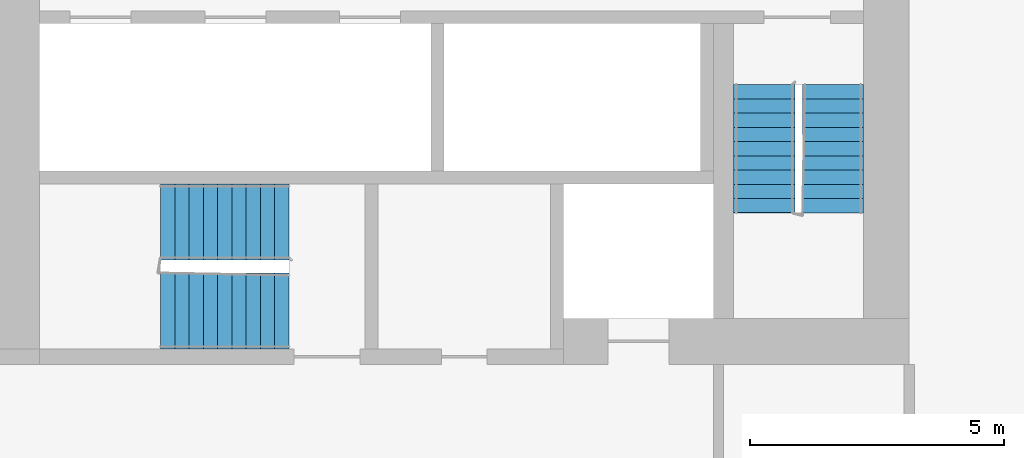
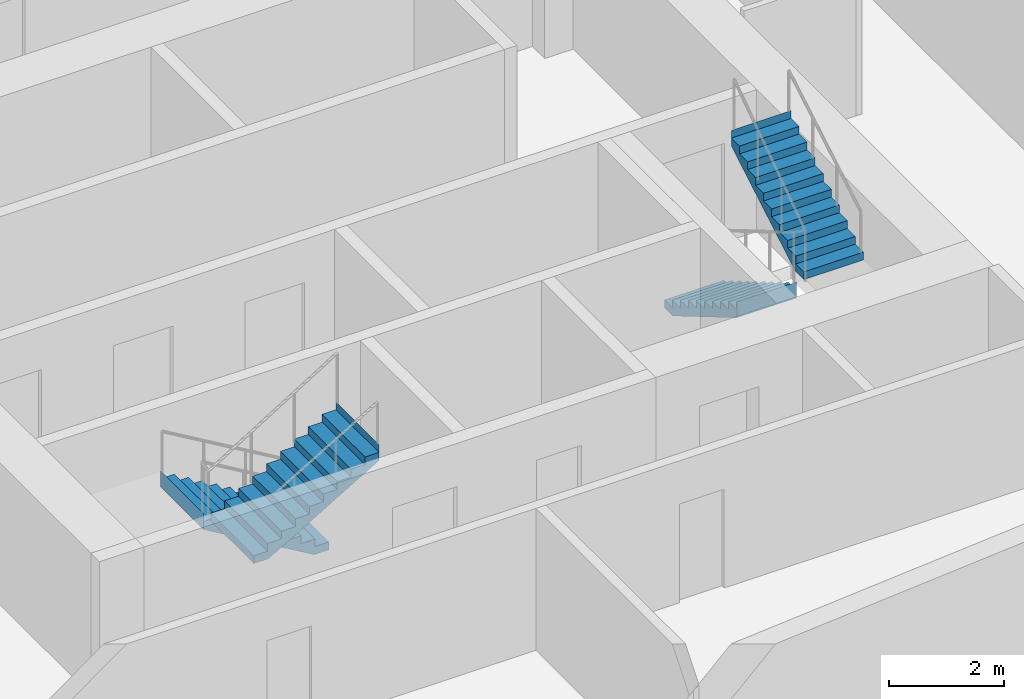
# One storey, part 9 of 12: 4 stair flights, 2 elements without a shape of their own.
"""IFC4 building model written with IfcOpenShell, lengths in metres."""

from ifc_helpers import new_model, si_unit, direction, frame, origin, place, context, subcontext, project, spatial, faceted_brep, material, type_object, element, aggregate, save


model = new_model("IFC4")

# Units and contexts
model_context = context("Model", 3, precision=1e-05, world=origin(), true_north=direction((0.0, 1.0)))
body_context = subcontext(model_context, "Body", "Model", "MODEL_VIEW")
ifc_project = project(units=[si_unit("LENGTHUNIT", "METRE"), si_unit("AREAUNIT", "SQUARE_METRE"), si_unit("VOLUMEUNIT", "CUBIC_METRE"), si_unit("PLANEANGLEUNIT", "RADIAN"), si_unit("MASSUNIT", "GRAM", prefix="KILO")], contexts=[model_context])

# Site, building, storey
site_placement = place(None, origin())
site = spatial("IfcSite", under=ifc_project, at=site_placement, CompositionType="ELEMENT")
building_placement = place(site_placement, origin())
building = spatial("IfcBuilding", under=site, at=building_placement, Name="Kajstack Hotel Tower", CompositionType="ELEMENT")
storey_placement = place(building_placement, frame((0.0, 0.0, 143.800048828125)))
storey = spatial("IfcBuildingStorey", under=building, at=storey_placement, Name="L33", CompositionType="ELEMENT", Elevation=143.800048828125)

# Stair, stair flights
ifc_material = material(Name="Concrete C40/50", Category="concrete")
stair_type_1 = type_object("IfcStairType", Name="Exit stair 1200", PredefinedType="HALF_TURN_STAIR", material=ifc_material)
stair_1_placement = place(storey_placement, origin())
stair_1 = element("IfcStair", 1, at=stair_1_placement, inside=storey, type_object=stair_type_1, Name="L33 stair W2", PredefinedType="HALF_TURN_STAIR")
stair_flight_type_1 = type_object("IfcStairFlightType", Name="Exit stair flight 1200", PredefinedType="STRAIGHT", material=ifc_material)
stair_flight_1_placement = place(storey_placement, frame((-16.35009765625, -10.0, 0.0), z_axis=(0.0, 0.0, 1.0), x_axis=(0.0, -1.0, 0.0)))
stair_flight_1 = element("IfcStairFlight", 2, at=stair_flight_1_placement, type_object=stair_flight_type_1, Name="W2 flight 1", NumberOfRisers=10, NumberOfTreads=9, PredefinedType="STRAIGHT", RiserHeight=0.165, TreadLength=0.28, context=body_context, shape_type="Brep", body=[
    faceted_brep([(0.295654296875, -0.60009765625, 0.0), (2.5205078125, -0.60009765625, 1.31103515625), (2.5205078125, -0.60009765625, 1.64990234375), (2.52001953125, -0.60009765625, 1.64990234375), (2.52001953125, -0.60009765625, 1.485107421875), (2.239990234375, -0.60009765625, 1.485107421875), (2.239990234375, -0.60009765625, 1.320068359375), (1.9599609375, -0.60009765625, 1.320068359375), (1.9599609375, -0.60009765625, 1.155029296875), (1.679931640625, -0.60009765625, 1.155029296875), (1.679931640625, -0.60009765625, 0.989990234375), (1.39990234375, -0.60009765625, 0.989990234375), (1.39990234375, -0.60009765625, 0.824951171875), (1.1201171875, -0.60009765625, 0.824951171875), (1.1201171875, -0.60009765625, 0.659912109375), (0.840087890625, -0.60009765625, 0.659912109375), (0.840087890625, -0.60009765625, 0.4951171875), (0.56005859375, -0.60009765625, 0.4951171875), (0.56005859375, -0.60009765625, 0.330078125), (0.280029296875, -0.60009765625, 0.330078125), (0.280029296875, -0.60009765625, 0.1650390625), (-0.00048828125, -0.60009765625, 0.1650390625), (-0.00048828125, -0.60009765625, 0.0), (-0.00048828125, 0.60009765625, 0.0), (-0.00048828125, 0.60009765625, 0.1650390625), (0.280029296875, 0.60009765625, 0.1650390625), (0.280029296875, 0.60009765625, 0.330078125), (0.56005859375, 0.60009765625, 0.330078125), (0.56005859375, 0.60009765625, 0.4951171875), (0.840087890625, 0.60009765625, 0.4951171875), (0.840087890625, 0.60009765625, 0.659912109375), (1.1201171875, 0.60009765625, 0.659912109375), (1.1201171875, 0.60009765625, 0.824951171875), (1.39990234375, 0.60009765625, 0.824951171875), (1.39990234375, 0.60009765625, 0.989990234375), (1.679931640625, 0.60009765625, 0.989990234375), (1.679931640625, 0.60009765625, 1.155029296875), (1.9599609375, 0.60009765625, 1.155029296875), (1.9599609375, 0.60009765625, 1.320068359375), (2.239990234375, 0.60009765625, 1.320068359375), (2.239990234375, 0.60009765625, 1.485107421875), (2.52001953125, 0.60009765625, 1.485107421875), (2.52001953125, 0.60009765625, 1.64990234375), (2.5205078125, 0.60009765625, 1.64990234375), (2.5205078125, 0.60009765625, 1.31103515625), (0.295654296875, 0.60009765625, 0.0), (-0.00048828125, -0.300048828125, 0.1650390625), (-0.00048828125, 0.0, 0.1650390625), (-0.00048828125, 0.300048828125, 0.1650390625), (-0.00048828125, 0.300048828125, 0.0), (-0.00048828125, 0.0, 0.0), (-0.00048828125, -0.300048828125, 0.0), (0.280029296875, -0.300048828125, 0.1650390625), (0.280029296875, 0.0, 0.1650390625), (0.280029296875, 0.300048828125, 0.1650390625), (0.280029296875, -0.300048828125, 0.330078125), (0.280029296875, 0.0, 0.330078125), (0.280029296875, 0.300048828125, 0.330078125), (0.56005859375, -0.300048828125, 0.330078125), (0.56005859375, 0.0, 0.330078125), (0.56005859375, 0.300048828125, 0.330078125), (0.56005859375, -0.300048828125, 0.4951171875), (0.56005859375, 0.0, 0.4951171875), (0.56005859375, 0.300048828125, 0.4951171875), (0.840087890625, -0.300048828125, 0.4951171875), (0.840087890625, 0.0, 0.4951171875), (0.840087890625, 0.300048828125, 0.4951171875), (0.840087890625, -0.300048828125, 0.659912109375), (0.840087890625, 0.0, 0.659912109375), (0.840087890625, 0.300048828125, 0.659912109375), (1.1201171875, -0.300048828125, 0.659912109375), (1.1201171875, 0.0, 0.659912109375), (1.1201171875, 0.300048828125, 0.659912109375), (1.1201171875, -0.300048828125, 0.824951171875), (1.1201171875, 0.0, 0.824951171875), (1.1201171875, 0.300048828125, 0.824951171875), (1.39990234375, -0.300048828125, 0.824951171875), (1.39990234375, 0.0, 0.824951171875), (1.39990234375, 0.300048828125, 0.824951171875), (1.39990234375, -0.300048828125, 0.989990234375), (1.39990234375, 0.0, 0.989990234375), (1.39990234375, 0.300048828125, 0.989990234375), (1.679931640625, -0.300048828125, 0.989990234375), (1.679931640625, 0.0, 0.989990234375), (1.679931640625, 0.300048828125, 0.989990234375), (1.679931640625, -0.300048828125, 1.155029296875), (1.679931640625, 0.0, 1.155029296875), (1.679931640625, 0.300048828125, 1.155029296875), (1.9599609375, -0.300048828125, 1.155029296875), (1.9599609375, 0.0, 1.155029296875), (1.9599609375, 0.300048828125, 1.155029296875), (1.9599609375, -0.300048828125, 1.320068359375), (1.9599609375, 0.0, 1.320068359375), (1.9599609375, 0.300048828125, 1.320068359375), (2.239990234375, -0.300048828125, 1.320068359375), (2.239990234375, 0.0, 1.320068359375), (2.239990234375, 0.300048828125, 1.320068359375), (2.239990234375, -0.300048828125, 1.485107421875), (2.239990234375, 0.0, 1.485107421875), (2.239990234375, 0.300048828125, 1.485107421875), (2.52001953125, -0.300048828125, 1.485107421875), (2.52001953125, 0.0, 1.485107421875), (2.52001953125, 0.300048828125, 1.485107421875), (2.52001953125, -0.300048828125, 1.64990234375), (2.52001953125, 0.0, 1.64990234375), (2.52001953125, 0.300048828125, 1.64990234375), (2.5205078125, -0.300048828125, 1.64990234375), (2.5205078125, 0.0, 1.64990234375), (2.5205078125, 0.300048828125, 1.64990234375), (2.5205078125, -0.300048828125, 1.31103515625), (2.5205078125, 0.0, 1.31103515625), (2.5205078125, 0.300048828125, 1.31103515625), (0.295654296875, -0.300048828125, 0.0), (0.295654296875, 0.0, 0.0), (0.295654296875, 0.300048828125, 0.0)], [[[0, 1, 2, 3, 4, 5, 6, 7, 8, 9, 10, 11, 12, 13, 14, 15, 16, 17, 18, 19, 20, 21, 22]], [[23, 24, 25, 26, 27, 28, 29, 30, 31, 32, 33, 34, 35, 36, 37, 38, 39, 40, 41, 42, 43, 44, 45]], [[21, 46, 47, 48, 24, 23, 49, 50, 51, 22]], [[20, 52, 53, 54, 25, 24, 48, 47, 46, 21]], [[19, 55, 56, 57, 26, 25, 54, 53, 52, 20]], [[18, 58, 59, 60, 27, 26, 57, 56, 55, 19]], [[17, 61, 62, 63, 28, 27, 60, 59, 58, 18]], [[16, 64, 65, 66, 29, 28, 63, 62, 61, 17]], [[15, 67, 68, 69, 30, 29, 66, 65, 64, 16]], [[14, 70, 71, 72, 31, 30, 69, 68, 67, 15]], [[13, 73, 74, 75, 32, 31, 72, 71, 70, 14]], [[12, 76, 77, 78, 33, 32, 75, 74, 73, 13]], [[11, 79, 80, 81, 34, 33, 78, 77, 76, 12]], [[10, 82, 83, 84, 35, 34, 81, 80, 79, 11]], [[9, 85, 86, 87, 36, 35, 84, 83, 82, 10]], [[8, 88, 89, 90, 37, 36, 87, 86, 85, 9]], [[7, 91, 92, 93, 38, 37, 90, 89, 88, 8]], [[6, 94, 95, 96, 39, 38, 93, 92, 91, 7]], [[5, 97, 98, 99, 40, 39, 96, 95, 94, 6]], [[4, 100, 101, 102, 41, 40, 99, 98, 97, 5]], [[3, 103, 104, 105, 42, 41, 102, 101, 100, 4]], [[2, 106, 107, 108, 43, 42, 105, 104, 103, 3]], [[1, 109, 110, 111, 44, 43, 108, 107, 106, 2]], [[0, 112, 113, 114, 45, 44, 111, 110, 109, 1]], [[22, 51, 50, 49, 23, 45, 114, 113, 112, 0]]]),
])
stair_flight_2_placement = place(storey_placement, frame((-15.0, -12.52001953125, 1.64990234375), z_axis=(0.0, 0.0, 1.0), x_axis=(0.0, 1.0, 0.0)))
stair_flight_2 = element("IfcStairFlight", 3, at=stair_flight_2_placement, type_object=stair_flight_type_1, Name="W2 flight 2", NumberOfRisers=10, NumberOfTreads=9, PredefinedType="STRAIGHT", RiserHeight=0.165, TreadLength=0.28, context=body_context, shape_type="Brep", body=[
    faceted_brep([(0.295654296875, -0.60009765625, 0.0), (2.5205078125, -0.60009765625, 1.31103515625), (2.5205078125, -0.60009765625, 1.64990234375), (2.52001953125, -0.60009765625, 1.64990234375), (2.52001953125, -0.60009765625, 1.485107421875), (2.239990234375, -0.60009765625, 1.485107421875), (2.239990234375, -0.60009765625, 1.320068359375), (1.9599609375, -0.60009765625, 1.320068359375), (1.9599609375, -0.60009765625, 1.155029296875), (1.679931640625, -0.60009765625, 1.155029296875), (1.679931640625, -0.60009765625, 0.989990234375), (1.39990234375, -0.60009765625, 0.989990234375), (1.39990234375, -0.60009765625, 0.824951171875), (1.1201171875, -0.60009765625, 0.824951171875), (1.1201171875, -0.60009765625, 0.659912109375), (0.840087890625, -0.60009765625, 0.659912109375), (0.840087890625, -0.60009765625, 0.4951171875), (0.56005859375, -0.60009765625, 0.4951171875), (0.56005859375, -0.60009765625, 0.330078125), (0.280029296875, -0.60009765625, 0.330078125), (0.280029296875, -0.60009765625, 0.1650390625), (-0.00048828125, -0.60009765625, 0.1650390625), (-0.00048828125, -0.60009765625, 0.0), (-0.00048828125, 0.60009765625, 0.0), (-0.00048828125, 0.60009765625, 0.1650390625), (0.280029296875, 0.60009765625, 0.1650390625), (0.280029296875, 0.60009765625, 0.330078125), (0.56005859375, 0.60009765625, 0.330078125), (0.56005859375, 0.60009765625, 0.4951171875), (0.840087890625, 0.60009765625, 0.4951171875), (0.840087890625, 0.60009765625, 0.659912109375), (1.1201171875, 0.60009765625, 0.659912109375), (1.1201171875, 0.60009765625, 0.824951171875), (1.39990234375, 0.60009765625, 0.824951171875), (1.39990234375, 0.60009765625, 0.989990234375), (1.679931640625, 0.60009765625, 0.989990234375), (1.679931640625, 0.60009765625, 1.155029296875), (1.9599609375, 0.60009765625, 1.155029296875), (1.9599609375, 0.60009765625, 1.320068359375), (2.239990234375, 0.60009765625, 1.320068359375), (2.239990234375, 0.60009765625, 1.485107421875), (2.52001953125, 0.60009765625, 1.485107421875), (2.52001953125, 0.60009765625, 1.64990234375), (2.5205078125, 0.60009765625, 1.64990234375), (2.5205078125, 0.60009765625, 1.31103515625), (0.295654296875, 0.60009765625, 0.0), (-0.00048828125, -0.300048828125, 0.1650390625), (-0.00048828125, 0.0, 0.1650390625), (-0.00048828125, 0.300048828125, 0.1650390625), (-0.00048828125, 0.300048828125, 0.0), (-0.00048828125, 0.0, 0.0), (-0.00048828125, -0.300048828125, 0.0), (0.280029296875, -0.300048828125, 0.1650390625), (0.280029296875, 0.0, 0.1650390625), (0.280029296875, 0.300048828125, 0.1650390625), (0.280029296875, -0.300048828125, 0.330078125), (0.280029296875, 0.0, 0.330078125), (0.280029296875, 0.300048828125, 0.330078125), (0.56005859375, -0.300048828125, 0.330078125), (0.56005859375, 0.0, 0.330078125), (0.56005859375, 0.300048828125, 0.330078125), (0.56005859375, -0.300048828125, 0.4951171875), (0.56005859375, 0.0, 0.4951171875), (0.56005859375, 0.300048828125, 0.4951171875), (0.840087890625, -0.300048828125, 0.4951171875), (0.840087890625, 0.0, 0.4951171875), (0.840087890625, 0.300048828125, 0.4951171875), (0.840087890625, -0.300048828125, 0.659912109375), (0.840087890625, 0.0, 0.659912109375), (0.840087890625, 0.300048828125, 0.659912109375), (1.1201171875, -0.300048828125, 0.659912109375), (1.1201171875, 0.0, 0.659912109375), (1.1201171875, 0.300048828125, 0.659912109375), (1.1201171875, -0.300048828125, 0.824951171875), (1.1201171875, 0.0, 0.824951171875), (1.1201171875, 0.300048828125, 0.824951171875), (1.39990234375, -0.300048828125, 0.824951171875), (1.39990234375, 0.0, 0.824951171875), (1.39990234375, 0.300048828125, 0.824951171875), (1.39990234375, -0.300048828125, 0.989990234375), (1.39990234375, 0.0, 0.989990234375), (1.39990234375, 0.300048828125, 0.989990234375), (1.679931640625, -0.300048828125, 0.989990234375), (1.679931640625, 0.0, 0.989990234375), (1.679931640625, 0.300048828125, 0.989990234375), (1.679931640625, -0.300048828125, 1.155029296875), (1.679931640625, 0.0, 1.155029296875), (1.679931640625, 0.300048828125, 1.155029296875), (1.9599609375, -0.300048828125, 1.155029296875), (1.9599609375, 0.0, 1.155029296875), (1.9599609375, 0.300048828125, 1.155029296875), (1.9599609375, -0.300048828125, 1.320068359375), (1.9599609375, 0.0, 1.320068359375), (1.9599609375, 0.300048828125, 1.320068359375), (2.239990234375, -0.300048828125, 1.320068359375), (2.239990234375, 0.0, 1.320068359375), (2.239990234375, 0.300048828125, 1.320068359375), (2.239990234375, -0.300048828125, 1.485107421875), (2.239990234375, 0.0, 1.485107421875), (2.239990234375, 0.300048828125, 1.485107421875), (2.52001953125, -0.300048828125, 1.485107421875), (2.52001953125, 0.0, 1.485107421875), (2.52001953125, 0.300048828125, 1.485107421875), (2.52001953125, -0.300048828125, 1.64990234375), (2.52001953125, 0.0, 1.64990234375), (2.52001953125, 0.300048828125, 1.64990234375), (2.5205078125, -0.300048828125, 1.64990234375), (2.5205078125, 0.0, 1.64990234375), (2.5205078125, 0.300048828125, 1.64990234375), (2.5205078125, -0.300048828125, 1.31103515625), (2.5205078125, 0.0, 1.31103515625), (2.5205078125, 0.300048828125, 1.31103515625), (0.295654296875, -0.300048828125, 0.0), (0.295654296875, 0.0, 0.0), (0.295654296875, 0.300048828125, 0.0)], [[[0, 1, 2, 3, 4, 5, 6, 7, 8, 9, 10, 11, 12, 13, 14, 15, 16, 17, 18, 19, 20, 21, 22]], [[23, 24, 25, 26, 27, 28, 29, 30, 31, 32, 33, 34, 35, 36, 37, 38, 39, 40, 41, 42, 43, 44, 45]], [[21, 46, 47, 48, 24, 23, 49, 50, 51, 22]], [[20, 52, 53, 54, 25, 24, 48, 47, 46, 21]], [[19, 55, 56, 57, 26, 25, 54, 53, 52, 20]], [[18, 58, 59, 60, 27, 26, 57, 56, 55, 19]], [[17, 61, 62, 63, 28, 27, 60, 59, 58, 18]], [[16, 64, 65, 66, 29, 28, 63, 62, 61, 17]], [[15, 67, 68, 69, 30, 29, 66, 65, 64, 16]], [[14, 70, 71, 72, 31, 30, 69, 68, 67, 15]], [[13, 73, 74, 75, 32, 31, 72, 71, 70, 14]], [[12, 76, 77, 78, 33, 32, 75, 74, 73, 13]], [[11, 79, 80, 81, 34, 33, 78, 77, 76, 12]], [[10, 82, 83, 84, 35, 34, 81, 80, 79, 11]], [[9, 85, 86, 87, 36, 35, 84, 83, 82, 10]], [[8, 88, 89, 90, 37, 36, 87, 86, 85, 9]], [[7, 91, 92, 93, 38, 37, 90, 89, 88, 8]], [[6, 94, 95, 96, 39, 38, 93, 92, 91, 7]], [[5, 97, 98, 99, 40, 39, 96, 95, 94, 6]], [[4, 100, 101, 102, 41, 40, 99, 98, 97, 5]], [[3, 103, 104, 105, 42, 41, 102, 101, 100, 4]], [[2, 106, 107, 108, 43, 42, 105, 104, 103, 3]], [[1, 109, 110, 111, 44, 43, 108, 107, 106, 2]], [[0, 112, 113, 114, 45, 44, 111, 110, 109, 1]], [[22, 51, 50, 49, 23, 45, 114, 113, 112, 0]]]),
])
aggregate(stair_1, [stair_flight_1, stair_flight_2])

stair_type_2 = type_object("IfcStairType", Name="Exit stair 1500", PredefinedType="HALF_TURN_STAIR", material=ifc_material)
stair_2_placement = place(storey_placement, origin())
stair_2 = element("IfcStair", 4, at=stair_2_placement, inside=storey, type_object=stair_type_2, Name="L33 stair W3", PredefinedType="HALF_TURN_STAIR")
stair_flight_type_2 = type_object("IfcStairFlightType", Name="Exit stair flight 1500", PredefinedType="STRAIGHT", material=ifc_material)
stair_flight_3_placement = place(storey_placement, frame((-25.699951171875, -12.699951171875, 0.0), z_axis=(0.0, 0.0, 1.0), x_axis=(-1.0, 0.0, 0.0)))
stair_flight_3 = element("IfcStairFlight", 5, at=stair_flight_3_placement, type_object=stair_flight_type_2, Name="W3 flight 1", NumberOfRisers=10, NumberOfTreads=9, PredefinedType="STRAIGHT", RiserHeight=0.165, TreadLength=0.28, context=body_context, shape_type="Brep", body=[
    faceted_brep([(0.295654296875, -0.75, 0.0), (2.5205078125, -0.75, 1.31103515625), (2.5205078125, -0.75, 1.64990234375), (2.52001953125, -0.75, 1.64990234375), (2.52001953125, -0.75, 1.485107421875), (2.239990234375, -0.75, 1.485107421875), (2.239990234375, -0.75, 1.320068359375), (1.9599609375, -0.75, 1.320068359375), (1.9599609375, -0.75, 1.155029296875), (1.679931640625, -0.75, 1.155029296875), (1.679931640625, -0.75, 0.989990234375), (1.39990234375, -0.75, 0.989990234375), (1.39990234375, -0.75, 0.824951171875), (1.1201171875, -0.75, 0.824951171875), (1.1201171875, -0.75, 0.659912109375), (0.840087890625, -0.75, 0.659912109375), (0.840087890625, -0.75, 0.4951171875), (0.56005859375, -0.75, 0.4951171875), (0.56005859375, -0.75, 0.330078125), (0.280029296875, -0.75, 0.330078125), (0.280029296875, -0.75, 0.1650390625), (-0.00048828125, -0.75, 0.1650390625), (-0.00048828125, -0.75, 0.0), (-0.00048828125, 0.75, 0.0), (-0.00048828125, 0.75, 0.1650390625), (0.280029296875, 0.75, 0.1650390625), (0.280029296875, 0.75, 0.330078125), (0.56005859375, 0.75, 0.330078125), (0.56005859375, 0.75, 0.4951171875), (0.840087890625, 0.75, 0.4951171875), (0.840087890625, 0.75, 0.659912109375), (1.1201171875, 0.75, 0.659912109375), (1.1201171875, 0.75, 0.824951171875), (1.39990234375, 0.75, 0.824951171875), (1.39990234375, 0.75, 0.989990234375), (1.679931640625, 0.75, 0.989990234375), (1.679931640625, 0.75, 1.155029296875), (1.9599609375, 0.75, 1.155029296875), (1.9599609375, 0.75, 1.320068359375), (2.239990234375, 0.75, 1.320068359375), (2.239990234375, 0.75, 1.485107421875), (2.52001953125, 0.75, 1.485107421875), (2.52001953125, 0.75, 1.64990234375), (2.5205078125, 0.75, 1.64990234375), (2.5205078125, 0.75, 1.31103515625), (0.295654296875, 0.75, 0.0), (-0.00048828125, -0.375, 0.1650390625), (-0.00048828125, 0.0, 0.1650390625), (-0.00048828125, 0.375, 0.1650390625), (-0.00048828125, 0.375, 0.0), (-0.00048828125, 0.0, 0.0), (-0.00048828125, -0.375, 0.0), (0.280029296875, -0.375, 0.1650390625), (0.280029296875, 0.0, 0.1650390625), (0.280029296875, 0.375, 0.1650390625), (0.280029296875, -0.375, 0.330078125), (0.280029296875, 0.0, 0.330078125), (0.280029296875, 0.375, 0.330078125), (0.56005859375, -0.375, 0.330078125), (0.56005859375, 0.0, 0.330078125), (0.56005859375, 0.375, 0.330078125), (0.56005859375, -0.375, 0.4951171875), (0.56005859375, 0.0, 0.4951171875), (0.56005859375, 0.375, 0.4951171875), (0.840087890625, -0.375, 0.4951171875), (0.840087890625, 0.0, 0.4951171875), (0.840087890625, 0.375, 0.4951171875), (0.840087890625, -0.375, 0.659912109375), (0.840087890625, 0.0, 0.659912109375), (0.840087890625, 0.375, 0.659912109375), (1.1201171875, -0.375, 0.659912109375), (1.1201171875, 0.0, 0.659912109375), (1.1201171875, 0.375, 0.659912109375), (1.1201171875, -0.375, 0.824951171875), (1.1201171875, 0.0, 0.824951171875), (1.1201171875, 0.375, 0.824951171875), (1.39990234375, -0.375, 0.824951171875), (1.39990234375, 0.0, 0.824951171875), (1.39990234375, 0.375, 0.824951171875), (1.39990234375, -0.375, 0.989990234375), (1.39990234375, 0.0, 0.989990234375), (1.39990234375, 0.375, 0.989990234375), (1.679931640625, -0.375, 0.989990234375), (1.679931640625, 0.0, 0.989990234375), (1.679931640625, 0.375, 0.989990234375), (1.679931640625, -0.375, 1.155029296875), (1.679931640625, 0.0, 1.155029296875), (1.679931640625, 0.375, 1.155029296875), (1.9599609375, -0.375, 1.155029296875), (1.9599609375, 0.0, 1.155029296875), (1.9599609375, 0.375, 1.155029296875), (1.9599609375, -0.375, 1.320068359375), (1.9599609375, 0.0, 1.320068359375), (1.9599609375, 0.375, 1.320068359375), (2.239990234375, -0.375, 1.320068359375), (2.239990234375, 0.0, 1.320068359375), (2.239990234375, 0.375, 1.320068359375), (2.239990234375, -0.375, 1.485107421875), (2.239990234375, 0.0, 1.485107421875), (2.239990234375, 0.375, 1.485107421875), (2.52001953125, -0.375, 1.485107421875), (2.52001953125, 0.0, 1.485107421875), (2.52001953125, 0.375, 1.485107421875), (2.52001953125, -0.375, 1.64990234375), (2.52001953125, 0.0, 1.64990234375), (2.52001953125, 0.375, 1.64990234375), (2.5205078125, -0.375, 1.64990234375), (2.5205078125, 0.0, 1.64990234375), (2.5205078125, 0.375, 1.64990234375), (2.5205078125, -0.375, 1.31103515625), (2.5205078125, 0.0, 1.31103515625), (2.5205078125, 0.375, 1.31103515625), (0.295654296875, -0.375, 0.0), (0.295654296875, 0.0, 0.0), (0.295654296875, 0.375, 0.0)], [[[0, 1, 2, 3, 4, 5, 6, 7, 8, 9, 10, 11, 12, 13, 14, 15, 16, 17, 18, 19, 20, 21, 22]], [[23, 24, 25, 26, 27, 28, 29, 30, 31, 32, 33, 34, 35, 36, 37, 38, 39, 40, 41, 42, 43, 44, 45]], [[21, 46, 47, 48, 24, 23, 49, 50, 51, 22]], [[20, 52, 53, 54, 25, 24, 48, 47, 46, 21]], [[19, 55, 56, 57, 26, 25, 54, 53, 52, 20]], [[18, 58, 59, 60, 27, 26, 57, 56, 55, 19]], [[17, 61, 62, 63, 28, 27, 60, 59, 58, 18]], [[16, 64, 65, 66, 29, 28, 63, 62, 61, 17]], [[15, 67, 68, 69, 30, 29, 66, 65, 64, 16]], [[14, 70, 71, 72, 31, 30, 69, 68, 67, 15]], [[13, 73, 74, 75, 32, 31, 72, 71, 70, 14]], [[12, 76, 77, 78, 33, 32, 75, 74, 73, 13]], [[11, 79, 80, 81, 34, 33, 78, 77, 76, 12]], [[10, 82, 83, 84, 35, 34, 81, 80, 79, 11]], [[9, 85, 86, 87, 36, 35, 84, 83, 82, 10]], [[8, 88, 89, 90, 37, 36, 87, 86, 85, 9]], [[7, 91, 92, 93, 38, 37, 90, 89, 88, 8]], [[6, 94, 95, 96, 39, 38, 93, 92, 91, 7]], [[5, 97, 98, 99, 40, 39, 96, 95, 94, 6]], [[4, 100, 101, 102, 41, 40, 99, 98, 97, 5]], [[3, 103, 104, 105, 42, 41, 102, 101, 100, 4]], [[2, 106, 107, 108, 43, 42, 105, 104, 103, 3]], [[1, 109, 110, 111, 44, 43, 108, 107, 106, 2]], [[0, 112, 113, 114, 45, 44, 111, 110, 109, 1]], [[22, 51, 50, 49, 23, 45, 114, 113, 112, 0]]]),
])
stair_flight_4_placement = place(storey_placement, frame((-28.219970703125, -14.449951171875, 1.64990234375), z_axis=(0.0, 0.0, 1.0), x_axis=(1.0, 0.0, 0.0)))
stair_flight_4 = element("IfcStairFlight", 6, at=stair_flight_4_placement, type_object=stair_flight_type_2, Name="W3 flight 2", NumberOfRisers=10, NumberOfTreads=9, PredefinedType="STRAIGHT", RiserHeight=0.165, TreadLength=0.28, context=body_context, shape_type="Brep", body=[
    faceted_brep([(0.295654296875, -0.75, 0.0), (2.5205078125, -0.75, 1.31103515625), (2.5205078125, -0.75, 1.64990234375), (2.52001953125, -0.75, 1.64990234375), (2.52001953125, -0.75, 1.485107421875), (2.239990234375, -0.75, 1.485107421875), (2.239990234375, -0.75, 1.320068359375), (1.9599609375, -0.75, 1.320068359375), (1.9599609375, -0.75, 1.155029296875), (1.679931640625, -0.75, 1.155029296875), (1.679931640625, -0.75, 0.989990234375), (1.39990234375, -0.75, 0.989990234375), (1.39990234375, -0.75, 0.824951171875), (1.1201171875, -0.75, 0.824951171875), (1.1201171875, -0.75, 0.659912109375), (0.840087890625, -0.75, 0.659912109375), (0.840087890625, -0.75, 0.4951171875), (0.56005859375, -0.75, 0.4951171875), (0.56005859375, -0.75, 0.330078125), (0.280029296875, -0.75, 0.330078125), (0.280029296875, -0.75, 0.1650390625), (-0.00048828125, -0.75, 0.1650390625), (-0.00048828125, -0.75, 0.0), (-0.00048828125, 0.75, 0.0), (-0.00048828125, 0.75, 0.1650390625), (0.280029296875, 0.75, 0.1650390625), (0.280029296875, 0.75, 0.330078125), (0.56005859375, 0.75, 0.330078125), (0.56005859375, 0.75, 0.4951171875), (0.840087890625, 0.75, 0.4951171875), (0.840087890625, 0.75, 0.659912109375), (1.1201171875, 0.75, 0.659912109375), (1.1201171875, 0.75, 0.824951171875), (1.39990234375, 0.75, 0.824951171875), (1.39990234375, 0.75, 0.989990234375), (1.679931640625, 0.75, 0.989990234375), (1.679931640625, 0.75, 1.155029296875), (1.9599609375, 0.75, 1.155029296875), (1.9599609375, 0.75, 1.320068359375), (2.239990234375, 0.75, 1.320068359375), (2.239990234375, 0.75, 1.485107421875), (2.52001953125, 0.75, 1.485107421875), (2.52001953125, 0.75, 1.64990234375), (2.5205078125, 0.75, 1.64990234375), (2.5205078125, 0.75, 1.31103515625), (0.295654296875, 0.75, 0.0), (-0.00048828125, -0.375, 0.1650390625), (-0.00048828125, 0.0, 0.1650390625), (-0.00048828125, 0.375, 0.1650390625), (-0.00048828125, 0.375, 0.0), (-0.00048828125, 0.0, 0.0), (-0.00048828125, -0.375, 0.0), (0.280029296875, -0.375, 0.1650390625), (0.280029296875, 0.0, 0.1650390625), (0.280029296875, 0.375, 0.1650390625), (0.280029296875, -0.375, 0.330078125), (0.280029296875, 0.0, 0.330078125), (0.280029296875, 0.375, 0.330078125), (0.56005859375, -0.375, 0.330078125), (0.56005859375, 0.0, 0.330078125), (0.56005859375, 0.375, 0.330078125), (0.56005859375, -0.375, 0.4951171875), (0.56005859375, 0.0, 0.4951171875), (0.56005859375, 0.375, 0.4951171875), (0.840087890625, -0.375, 0.4951171875), (0.840087890625, 0.0, 0.4951171875), (0.840087890625, 0.375, 0.4951171875), (0.840087890625, -0.375, 0.659912109375), (0.840087890625, 0.0, 0.659912109375), (0.840087890625, 0.375, 0.659912109375), (1.1201171875, -0.375, 0.659912109375), (1.1201171875, 0.0, 0.659912109375), (1.1201171875, 0.375, 0.659912109375), (1.1201171875, -0.375, 0.824951171875), (1.1201171875, 0.0, 0.824951171875), (1.1201171875, 0.375, 0.824951171875), (1.39990234375, -0.375, 0.824951171875), (1.39990234375, 0.0, 0.824951171875), (1.39990234375, 0.375, 0.824951171875), (1.39990234375, -0.375, 0.989990234375), (1.39990234375, 0.0, 0.989990234375), (1.39990234375, 0.375, 0.989990234375), (1.679931640625, -0.375, 0.989990234375), (1.679931640625, 0.0, 0.989990234375), (1.679931640625, 0.375, 0.989990234375), (1.679931640625, -0.375, 1.155029296875), (1.679931640625, 0.0, 1.155029296875), (1.679931640625, 0.375, 1.155029296875), (1.9599609375, -0.375, 1.155029296875), (1.9599609375, 0.0, 1.155029296875), (1.9599609375, 0.375, 1.155029296875), (1.9599609375, -0.375, 1.320068359375), (1.9599609375, 0.0, 1.320068359375), (1.9599609375, 0.375, 1.320068359375), (2.239990234375, -0.375, 1.320068359375), (2.239990234375, 0.0, 1.320068359375), (2.239990234375, 0.375, 1.320068359375), (2.239990234375, -0.375, 1.485107421875), (2.239990234375, 0.0, 1.485107421875), (2.239990234375, 0.375, 1.485107421875), (2.52001953125, -0.375, 1.485107421875), (2.52001953125, 0.0, 1.485107421875), (2.52001953125, 0.375, 1.485107421875), (2.52001953125, -0.375, 1.64990234375), (2.52001953125, 0.0, 1.64990234375), (2.52001953125, 0.375, 1.64990234375), (2.5205078125, -0.375, 1.64990234375), (2.5205078125, 0.0, 1.64990234375), (2.5205078125, 0.375, 1.64990234375), (2.5205078125, -0.375, 1.31103515625), (2.5205078125, 0.0, 1.31103515625), (2.5205078125, 0.375, 1.31103515625), (0.295654296875, -0.375, 0.0), (0.295654296875, 0.0, 0.0), (0.295654296875, 0.375, 0.0)], [[[0, 1, 2, 3, 4, 5, 6, 7, 8, 9, 10, 11, 12, 13, 14, 15, 16, 17, 18, 19, 20, 21, 22]], [[23, 24, 25, 26, 27, 28, 29, 30, 31, 32, 33, 34, 35, 36, 37, 38, 39, 40, 41, 42, 43, 44, 45]], [[21, 46, 47, 48, 24, 23, 49, 50, 51, 22]], [[20, 52, 53, 54, 25, 24, 48, 47, 46, 21]], [[19, 55, 56, 57, 26, 25, 54, 53, 52, 20]], [[18, 58, 59, 60, 27, 26, 57, 56, 55, 19]], [[17, 61, 62, 63, 28, 27, 60, 59, 58, 18]], [[16, 64, 65, 66, 29, 28, 63, 62, 61, 17]], [[15, 67, 68, 69, 30, 29, 66, 65, 64, 16]], [[14, 70, 71, 72, 31, 30, 69, 68, 67, 15]], [[13, 73, 74, 75, 32, 31, 72, 71, 70, 14]], [[12, 76, 77, 78, 33, 32, 75, 74, 73, 13]], [[11, 79, 80, 81, 34, 33, 78, 77, 76, 12]], [[10, 82, 83, 84, 35, 34, 81, 80, 79, 11]], [[9, 85, 86, 87, 36, 35, 84, 83, 82, 10]], [[8, 88, 89, 90, 37, 36, 87, 86, 85, 9]], [[7, 91, 92, 93, 38, 37, 90, 89, 88, 8]], [[6, 94, 95, 96, 39, 38, 93, 92, 91, 7]], [[5, 97, 98, 99, 40, 39, 96, 95, 94, 6]], [[4, 100, 101, 102, 41, 40, 99, 98, 97, 5]], [[3, 103, 104, 105, 42, 41, 102, 101, 100, 4]], [[2, 106, 107, 108, 43, 42, 105, 104, 103, 3]], [[1, 109, 110, 111, 44, 43, 108, 107, 106, 2]], [[0, 112, 113, 114, 45, 44, 111, 110, 109, 1]], [[22, 51, 50, 49, 23, 45, 114, 113, 112, 0]]]),
])
aggregate(stair_2, [stair_flight_3, stair_flight_4])

save(model, "model.ifc")
